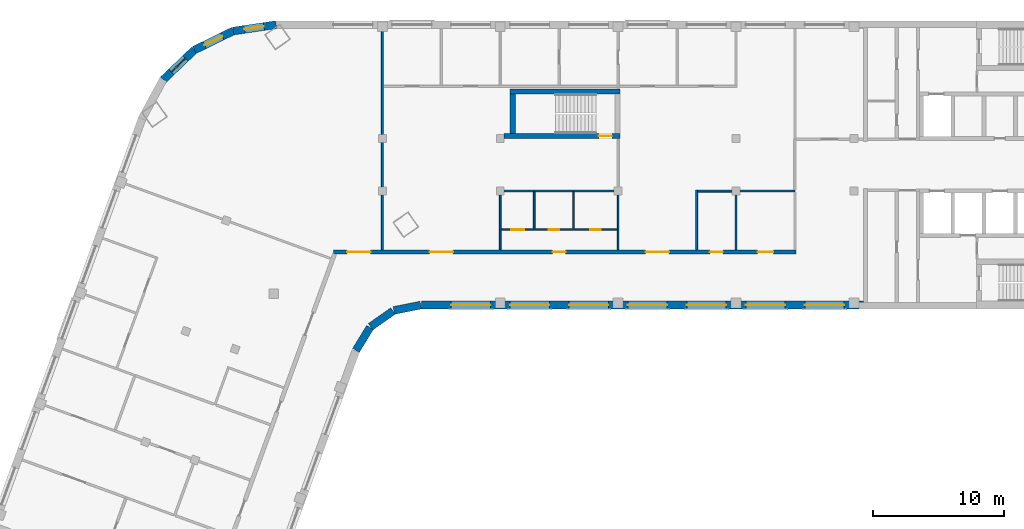
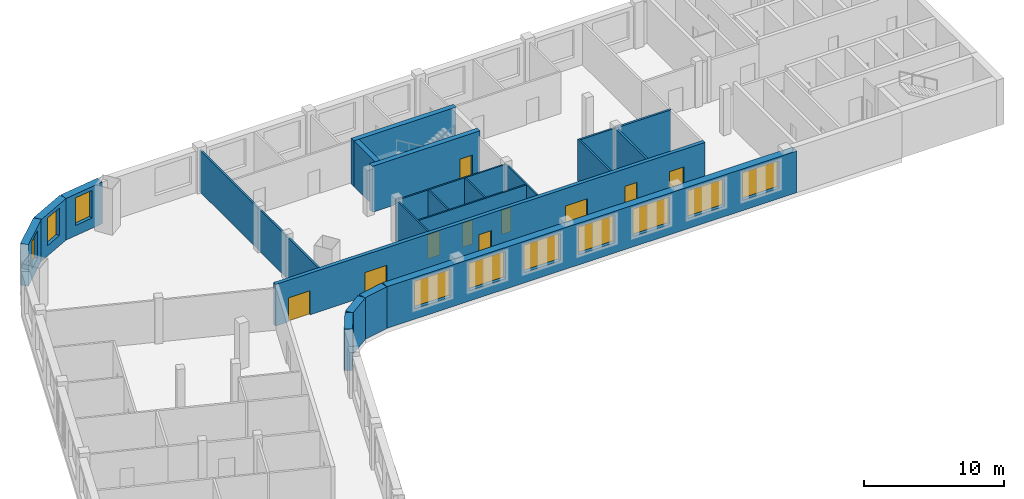
# One storey, part 4 of 8: 22 walls, 10 doors, 10 windows, 20 openings.
"""IFC4 building model written with IfcOpenShell, lengths in metres."""

from ifc_helpers import new_model, si_unit, direction, frame, frame_2d, origin, place, context, subcontext, project, spatial, rectangle, extrude, material, layer, layer_set, type_object, element, fill, save


model = new_model("IFC4")

# Units and contexts
model_context = context("Model", 3, precision=1e-05, world=origin(), true_north=direction((0.0, 1.0)))
body_context = subcontext(model_context, "Body", "Model", "MODEL_VIEW")
ifc_project = project(units=[si_unit("LENGTHUNIT", "METRE"), si_unit("AREAUNIT", "SQUARE_METRE"), si_unit("VOLUMEUNIT", "CUBIC_METRE"), si_unit("PLANEANGLEUNIT", "RADIAN"), si_unit("MASSUNIT", "GRAM", prefix="KILO")], contexts=[model_context])

# Site, building, storey
site_placement = place(None, origin())
site = spatial("IfcSite", under=ifc_project, at=site_placement, CompositionType="ELEMENT")
building_placement = place(site_placement, origin())
building = spatial("IfcBuilding", under=site, at=building_placement, Name="Skarvind Civic Tower", CompositionType="ELEMENT")
storey_placement = place(building_placement, frame((0.0, 0.0, 208.0)))
storey = spatial("IfcBuildingStorey", under=building, at=storey_placement, Name="L49", CompositionType="ELEMENT", Elevation=208.0)

# Walls
ifc_material_1 = material(Name="Acoustic gypsum board on steel studs", Category="steel")
ifc_layer_1 = layer(ifc_material_1, 0.175048828125)
ifc_layer_set_1 = layer_set([ifc_layer_1], Name="ACOUSTIC MEETING-ROOM PARTITION 175")
wall_type_1 = type_object("IfcWallType", Name="ACOUSTIC MEETING-ROOM PARTITION 175", PredefinedType="PARTITIONING", material=ifc_layer_set_1)
wall_1_placement = place(storey_placement, frame((81.25, 121.5, 0.0), z_axis=(0.0, 0.0, 1.0), x_axis=(0.0, 1.0, 0.0)))
element("IfcWall", 1, at=wall_1_placement, inside=storey, type_object=wall_type_1, Name="Partition 49.036", PredefinedType="PARTITIONING", context=body_context, shape_type="SweptSolid", body=[
    extrude(rectangle(XDim=4.412109375, YDim=0.175048828125, at=frame_2d((2.2060546875, 0.0))), origin(), (0.0, 0.0, 1.0), 3.625),
])
wall_2_placement = place(storey_placement, frame((81.25, 126.0, 0.0), z_axis=(0.0, 0.0, 1.0), x_axis=(1.0, 0.0, 0.0)))
element("IfcWall", 2, at=wall_2_placement, inside=storey, type_object=wall_type_1, Name="Partition 49.038", PredefinedType="PARTITIONING", context=body_context, shape_type="SweptSolid", body=[
    extrude(rectangle(XDim=4.5, YDim=0.175048828125, at=frame_2d((2.25, 0.0))), origin(), (0.0, 0.0, 1.0), 3.625),
])

# Wall, openings, doors
ifc_material_2 = material(Name="Fire-rated gypsum board on steel studs", Category="steel")
ifc_layer_2 = layer(ifc_material_2, 0.300048828125)
ifc_layer_set_2 = layer_set([ifc_layer_2], Name="CORRIDOR WALL 300")
wall_type_2 = type_object("IfcWallType", Name="CORRIDOR WALL 300", PredefinedType="PARTITIONING", material=ifc_layer_set_2)
wall_3_placement = place(storey_placement, frame((50.506103515625, 121.35009765625, 0.0), z_axis=(0.0, 0.0, 1.0), x_axis=(1.0, 0.0, 0.0)))
wall_3 = element("IfcWall", 3, at=wall_3_placement, inside=storey, type_object=wall_type_2, Name="Partition 49.020", PredefinedType="PARTITIONING", context=body_context, shape_type="SweptSolid", body=[
    extrude(rectangle(XDim=35.331787109375, YDim=0.300048828125, at=frame_2d((17.666015625, 0.0))), origin(), (0.0, 0.0, 1.0), 3.625),
])
opening_1_placement = place(wall_3_placement, frame((32.39404296875, 0.0, 0.0)))
opening_1 = element("IfcOpeningElement", 4, at=opening_1_placement, cuts=wall_3, Name="Opening L49-D002", PredefinedType="OPENING", context=body_context, shape_type="SweptSolid", body=[
    extrude(rectangle(XDim=1.199951171875, YDim=2.10009765625, at=frame_2d((0.60009765625, 1.050048828125))), frame((0.0, 0.159912109375, 0.0), z_axis=(0.0, -1.0, 0.0), x_axis=(1.0, 0.0, 0.0)), (0.0, 0.0, 1.0), 0.320068359375),
])
opening_2_placement = place(wall_3_placement, frame((28.743896484375, 0.0, 0.0)))
opening_2 = element("IfcOpeningElement", 5, at=opening_2_placement, cuts=wall_3, Name="Opening L49-D003", PredefinedType="OPENING", context=body_context, shape_type="SweptSolid", body=[
    extrude(rectangle(XDim=1.0, YDim=2.10009765625, at=frame_2d((0.5, 1.050048828125))), frame((0.0, 0.159912109375, 0.0), z_axis=(0.0, -1.0, 0.0), x_axis=(1.0, 0.0, 0.0)), (0.0, 0.0, 1.0), 0.320068359375),
])
opening_3_placement = place(wall_3_placement, frame((23.843994140625, 0.0, 0.0)))
opening_3 = element("IfcOpeningElement", 6, at=opening_3_placement, cuts=wall_3, Name="Opening L49-D006", PredefinedType="OPENING", context=body_context, shape_type="SweptSolid", body=[
    extrude(rectangle(XDim=1.800048828125, YDim=2.10009765625, at=frame_2d((0.89990234375, 1.050048828125))), frame((0.0, 0.159912109375, 0.0), z_axis=(0.0, -1.0, 0.0), x_axis=(1.0, 0.0, 0.0)), (0.0, 0.0, 1.0), 0.320068359375),
])
opening_4_placement = place(wall_3_placement, frame((16.743896484375, 0.0, 0.0)))
opening_4 = element("IfcOpeningElement", 7, at=opening_4_placement, cuts=wall_3, Name="Opening L49-D007", PredefinedType="OPENING", context=body_context, shape_type="SweptSolid", body=[
    extrude(rectangle(XDim=1.0, YDim=2.10009765625, at=frame_2d((0.5, 1.050048828125))), frame((0.0, 0.159912109375, 0.0), z_axis=(0.0, -1.0, 0.0), x_axis=(1.0, 0.0, 0.0)), (0.0, 0.0, 1.0), 0.320068359375),
])
opening_5_placement = place(wall_3_placement, frame((7.343994140625, 0.0, 0.0)))
opening_5 = element("IfcOpeningElement", 8, at=opening_5_placement, cuts=wall_3, Name="Opening L49-D013", PredefinedType="OPENING", context=body_context, shape_type="SweptSolid", body=[
    extrude(rectangle(XDim=1.800048828125, YDim=2.10009765625, at=frame_2d((0.89990234375, 1.050048828125))), frame((0.0, 0.159912109375, 0.0), z_axis=(0.0, -1.0, 0.0), x_axis=(1.0, 0.0, 0.0)), (0.0, 0.0, 1.0), 0.320068359375),
])
opening_6_placement = place(wall_3_placement, frame((1.047119140625, 0.0, 0.0)))
opening_6 = element("IfcOpeningElement", 9, at=opening_6_placement, cuts=wall_3, Name="Opening L49-D022", PredefinedType="OPENING", context=body_context, shape_type="SweptSolid", body=[
    extrude(rectangle(XDim=1.800048828125, YDim=2.10009765625, at=frame_2d((0.89990234375, 1.050048828125))), frame((0.0, 0.159912109375, 0.0), z_axis=(0.0, -1.0, 0.0), x_axis=(1.0, 0.0, 0.0)), (0.0, 0.0, 1.0), 0.320068359375),
])
ifc_material_3 = material(Name="Fire-rated timber door leaf", Category="wood")
door_type_1 = type_object("IfcDoorType", Name="FD1 1000x2100", OperationType="NOTDEFINED", PredefinedType="DOOR", material=ifc_material_3)
door_1_placement = place(opening_2_placement, origin())
door_1 = element("IfcDoor", 10, at=door_1_placement, inside=storey, type_object=door_type_1, Name="Door L49-D003", OperationType="SINGLE_SWING_LEFT", OverallHeight=2.10009765625, OverallWidth=1.0, PredefinedType="DOOR", context=body_context, shape_type="SweptSolid", body=[
    extrude(rectangle(XDim=1.0, YDim=2.10009765625, at=frame_2d((0.5, 1.050048828125))), frame((0.0, 0.02490234375, 0.0), z_axis=(0.0, -1.0, 0.0), x_axis=(1.0, 0.0, 0.0)), (0.0, 0.0, 1.0), 0.050048828125),
])
fill(opening_2, door_1)
door_2_placement = place(opening_4_placement, origin())
door_2 = element("IfcDoor", 11, at=door_2_placement, inside=storey, type_object=door_type_1, Name="Door L49-D007", OperationType="SINGLE_SWING_LEFT", OverallHeight=2.10009765625, OverallWidth=1.0, PredefinedType="DOOR", context=body_context, shape_type="SweptSolid", body=[
    extrude(rectangle(XDim=1.0, YDim=2.10009765625, at=frame_2d((0.5, 1.050048828125))), frame((0.0, 0.02490234375, 0.0), z_axis=(0.0, -1.0, 0.0), x_axis=(1.0, 0.0, 0.0)), (0.0, 0.0, 1.0), 0.050048828125),
])
fill(opening_4, door_2)
door_type_2 = type_object("IfcDoorType", Name="FD4 1800x2100", OperationType="NOTDEFINED", PredefinedType="DOOR", material=ifc_material_3)
door_3_placement = place(opening_3_placement, origin())
door_3 = element("IfcDoor", 12, at=door_3_placement, inside=storey, type_object=door_type_2, Name="Door L49-D006", OperationType="DOUBLE_DOOR_SINGLE_SWING", OverallHeight=2.10009765625, OverallWidth=1.800048828125, PredefinedType="DOOR", context=body_context, shape_type="SweptSolid", body=[
    extrude(rectangle(XDim=1.800048828125, YDim=2.10009765625, at=frame_2d((0.89990234375, 1.050048828125))), frame((0.0, 0.02490234375, 0.0), z_axis=(0.0, -1.0, 0.0), x_axis=(1.0, 0.0, 0.0)), (0.0, 0.0, 1.0), 0.050048828125),
])
fill(opening_3, door_3)
door_4_placement = place(opening_5_placement, origin())
door_4 = element("IfcDoor", 13, at=door_4_placement, inside=storey, type_object=door_type_2, Name="Door L49-D013", OperationType="DOUBLE_DOOR_SINGLE_SWING", OverallHeight=2.10009765625, OverallWidth=1.800048828125, PredefinedType="DOOR", context=body_context, shape_type="SweptSolid", body=[
    extrude(rectangle(XDim=1.800048828125, YDim=2.10009765625, at=frame_2d((0.89990234375, 1.050048828125))), frame((0.0, 0.02490234375, 0.0), z_axis=(0.0, -1.0, 0.0), x_axis=(1.0, 0.0, 0.0)), (0.0, 0.0, 1.0), 0.050048828125),
])
fill(opening_5, door_4)
door_5_placement = place(opening_6_placement, origin())
door_5 = element("IfcDoor", 14, at=door_5_placement, inside=storey, type_object=door_type_2, Name="Door L49-D022", OperationType="DOUBLE_DOOR_SINGLE_SWING", OverallHeight=2.10009765625, OverallWidth=1.800048828125, PredefinedType="DOOR", context=body_context, shape_type="SweptSolid", body=[
    extrude(rectangle(XDim=1.800048828125, YDim=2.10009765625, at=frame_2d((0.89990234375, 1.050048828125))), frame((0.0, 0.02490234375, 0.0), z_axis=(0.0, -1.0, 0.0), x_axis=(1.0, 0.0, 0.0)), (0.0, 0.0, 1.0), 0.050048828125),
])
fill(opening_6, door_5)
door_type_3 = type_object("IfcDoorType", Name="FD6 1200x2100 DOUBLE", OperationType="NOTDEFINED", PredefinedType="DOOR", material=ifc_material_3)
door_6_placement = place(opening_1_placement, origin())
door_6 = element("IfcDoor", 15, at=door_6_placement, inside=storey, type_object=door_type_3, Name="Door L49-D002", OperationType="DOUBLE_DOOR_SINGLE_SWING", OverallHeight=2.10009765625, OverallWidth=1.199951171875, PredefinedType="DOOR", context=body_context, shape_type="SweptSolid", body=[
    extrude(rectangle(XDim=1.199951171875, YDim=2.10009765625, at=frame_2d((0.60009765625, 1.050048828125))), frame((0.0, 0.02490234375, 0.0), z_axis=(0.0, -1.0, 0.0), x_axis=(1.0, 0.0, 0.0)), (0.0, 0.0, 1.0), 0.050048828125),
])
fill(opening_1, door_6)

# Wall, opening, door
ifc_material_4 = material(Name="Concrete C60", Category="concrete")
ifc_layer_3 = layer(ifc_material_4, 0.39990234375)
ifc_layer_set_3 = layer_set([ifc_layer_3], Name="Core wall 400 C60")
wall_type_3 = type_object("IfcWallType", Name="Core wall 400 C60", PredefinedType="SHEAR", material=ifc_layer_set_3)
wall_4_placement = place(storey_placement, frame((63.550048828125, 130.199951171875, 0.0), z_axis=(0.0, 0.0, 1.0), x_axis=(1.0, 0.0, 0.0)))
wall_4 = element("IfcWall", 16, at=wall_4_placement, inside=storey, type_object=wall_type_3, Name="Core wall CM inner L49", PredefinedType="SHEAR", context=body_context, shape_type="SweptSolid", body=[
    extrude(rectangle(XDim=8.849853515625, YDim=0.39990234375, at=frame_2d((4.4248046875, 0.0))), origin(), (0.0, 0.0, 1.0), 4.0),
])
opening_7_placement = place(wall_4_placement, frame((7.22509765625, 0.0, 0.0)))
opening_7 = element("IfcOpeningElement", 17, at=opening_7_placement, cuts=wall_4, Name="Opening D-L49-CM-01", PredefinedType="OPENING", context=body_context, shape_type="SweptSolid", body=[
    extrude(rectangle(XDim=1.0, YDim=2.10009765625, at=frame_2d((0.5, 1.050048828125))), frame((0.0, 0.2099609375, 0.0), z_axis=(0.0, -1.0, 0.0), x_axis=(1.0, 0.0, 0.0)), (0.0, 0.0, 1.0), 0.419921875),
])
ifc_material_5 = material(Name="Fire-rated steel door", Category="steel")
door_type_4 = type_object("IfcDoorType", Name="Fire door 1000", OperationType="NOTDEFINED", PredefinedType="DOOR", material=ifc_material_5)
door_7_placement = place(opening_7_placement, origin())
door_7 = element("IfcDoor", 18, at=door_7_placement, inside=storey, type_object=door_type_4, Name="Fire door", OperationType="SINGLE_SWING_LEFT", OverallHeight=2.10009765625, OverallWidth=1.0, PredefinedType="DOOR", context=body_context, shape_type="SweptSolid", body=[
    extrude(rectangle(XDim=1.0, YDim=2.10009765625, at=frame_2d((0.5, 1.050048828125))), frame((0.0, 0.02490234375, 0.0), z_axis=(0.0, -1.0, 0.0), x_axis=(1.0, 0.0, 0.0)), (0.0, 0.0, 1.0), 0.050048828125),
])
fill(opening_7, door_7)

# Walls
wall_5_placement = place(storey_placement, frame((64.0, 133.60009765625, 0.0), z_axis=(0.0, 0.0, 1.0), x_axis=(1.0, 0.0, 0.0)))
element("IfcWall", 19, at=wall_5_placement, inside=storey, type_object=wall_type_3, Name="Core wall CM outer L49", PredefinedType="SHEAR", context=body_context, shape_type="SweptSolid", body=[
    extrude(rectangle(XDim=8.39990234375, YDim=0.39990234375, at=frame_2d((4.199951171875, 0.0))), origin(), (0.0, 0.0, 1.0), 4.0),
])
wall_6_placement = place(storey_placement, frame((64.199951171875, 130.39990234375, 0.0), z_axis=(0.0, 0.0, 1.0), x_axis=(0.0, 1.0, 0.0)))
element("IfcWall", 20, at=wall_6_placement, inside=storey, type_object=wall_type_3, Name="Core wall CM west L49", PredefinedType="SHEAR", context=body_context, shape_type="SweptSolid", body=[
    extrude(rectangle(XDim=3.0, YDim=0.39990234375, at=frame_2d((1.5, 0.0))), origin(), (0.0, 0.0, 1.0), 4.0),
])
ifc_material_6 = material(Name="Plasterboard partition on steel studs", Category="steel")
ifc_layer_4 = layer(ifc_material_6, 0.14990234375)
ifc_layer_set_4 = layer_set([ifc_layer_4], Name="PARTITION 150")
wall_type_4 = type_object("IfcWallType", Name="PARTITION 150", PredefinedType="PARTITIONING", material=ifc_layer_set_4)
wall_7_placement = place(storey_placement, frame((54.25, 121.5, 0.0), z_axis=(0.0, 0.0, 1.0), x_axis=(0.0, 1.0, 0.0)))
element("IfcWall", 21, at=wall_7_placement, inside=storey, type_object=wall_type_4, Name="Partition 49.021", PredefinedType="PARTITIONING", context=body_context, shape_type="SweptSolid", body=[
    extrude(rectangle(XDim=16.89990234375, YDim=0.14990234375, at=frame_2d((8.449951171875, 0.0))), origin(), (0.0, 0.0, 1.0), 3.625),
])
wall_8_placement = place(storey_placement, frame((78.25, 126.074951171875, 0.0), z_axis=(0.0, 0.0, 1.0), x_axis=(0.0, -1.0, 0.0)))
element("IfcWall", 22, at=wall_8_placement, inside=storey, type_object=wall_type_4, Name="Partition 49.035", PredefinedType="PARTITIONING", context=body_context, shape_type="SweptSolid", body=[
    extrude(rectangle(XDim=4.574951171875, YDim=0.14990234375, at=frame_2d((2.28759765625, 0.0))), origin(), (0.0, 0.0, 1.0), 3.625),
])
wall_9_placement = place(storey_placement, frame((81.25, 126.0, 0.0), z_axis=(0.0, 0.0, 1.0), x_axis=(-1.0, 0.0, 0.0)))
element("IfcWall", 23, at=wall_9_placement, inside=storey, type_object=wall_type_4, Name="Partition 49.037", PredefinedType="PARTITIONING", context=body_context, shape_type="SweptSolid", body=[
    extrude(rectangle(XDim=2.925048828125, YDim=0.14990234375, at=frame_2d((1.46240234375, 0.0))), origin(), (0.0, 0.0, 1.0), 3.625),
])
ifc_material_7 = material(Name="Moisture-resistant gypsum board on steel studs", Category="steel")
ifc_layer_5 = layer(ifc_material_7, 0.125)
ifc_layer_set_5 = layer_set([ifc_layer_5], Name="WC PARTITION 125")
wall_type_5 = type_object("IfcWallType", Name="WC PARTITION 125", PredefinedType="PARTITIONING", material=ifc_layer_set_5)
wall_10_placement = place(storey_placement, frame((63.25, 121.5, 0.0), z_axis=(0.0, 0.0, 1.0), x_axis=(0.0, 1.0, 0.0)))
element("IfcWall", 24, at=wall_10_placement, inside=storey, type_object=wall_type_5, Name="Partition 49.024", PredefinedType="PARTITIONING", context=body_context, shape_type="SweptSolid", body=[
    extrude(rectangle(XDim=4.43798828125, YDim=0.125, at=frame_2d((2.218994140625, 0.0))), origin(), (0.0, 0.0, 1.0), 3.625),
])

# Wall, openings, doors
wall_11_placement = place(storey_placement, frame((63.31201171875, 123.050048828125, 0.0), z_axis=(0.0, 0.0, 1.0), x_axis=(1.0, 0.0, 0.0)))
wall_11 = element("IfcWall", 25, at=wall_11_placement, inside=storey, type_object=wall_type_5, Name="Partition 49.025", PredefinedType="PARTITIONING", context=body_context, shape_type="SweptSolid", body=[
    extrude(rectangle(XDim=8.8759765625, YDim=0.125, at=frame_2d((4.43798828125, 0.0))), origin(), (0.0, 0.0, 1.0), 3.625),
])
opening_8_placement = place(wall_11_placement, frame((6.81689453125, 0.0, 0.0)))
opening_8 = element("IfcOpeningElement", 26, at=opening_8_placement, cuts=wall_11, Name="Opening L49-D008", PredefinedType="OPENING", context=body_context, shape_type="SweptSolid", body=[
    extrude(rectangle(XDim=0.800048828125, YDim=2.10009765625, at=frame_2d((0.39990234375, 1.050048828125))), frame((0.0, 0.072509765625, 0.0), z_axis=(0.0, -1.0, 0.0), x_axis=(1.0, 0.0, 0.0)), (0.0, 0.0, 1.0), 0.14501953125),
])
opening_9_placement = place(wall_11_placement, frame((3.637939453125, 0.0, 0.0)))
opening_9 = element("IfcOpeningElement", 27, at=opening_9_placement, cuts=wall_11, Name="Opening L49-D009", PredefinedType="OPENING", context=body_context, shape_type="SweptSolid", body=[
    extrude(rectangle(XDim=0.800048828125, YDim=2.10009765625, at=frame_2d((0.39990234375, 1.050048828125))), frame((0.0, 0.072509765625, 0.0), z_axis=(0.0, -1.0, 0.0), x_axis=(1.0, 0.0, 0.0)), (0.0, 0.0, 1.0), 0.14501953125),
])
opening_10_placement = place(wall_11_placement, frame((0.759033203125, 0.0, 0.0)))
opening_10 = element("IfcOpeningElement", 28, at=opening_10_placement, cuts=wall_11, Name="Opening L49-D010", PredefinedType="OPENING", context=body_context, shape_type="SweptSolid", body=[
    extrude(rectangle(XDim=1.0, YDim=2.10009765625, at=frame_2d((0.5, 1.050048828125))), frame((0.0, 0.072509765625, 0.0), z_axis=(0.0, -1.0, 0.0), x_axis=(1.0, 0.0, 0.0)), (0.0, 0.0, 1.0), 0.14501953125),
])
ifc_material_8 = material(Name="Timber door leaf", Category="wood")
door_type_5 = type_object("IfcDoorType", Name="D1 1000x2100", OperationType="NOTDEFINED", PredefinedType="DOOR", material=ifc_material_8)
door_8_placement = place(opening_10_placement, origin())
door_8 = element("IfcDoor", 29, at=door_8_placement, inside=storey, type_object=door_type_5, Name="Door L49-D010", OperationType="SINGLE_SWING_LEFT", OverallHeight=2.10009765625, OverallWidth=1.0, PredefinedType="DOOR", context=body_context, shape_type="SweptSolid", body=[
    extrude(rectangle(XDim=1.0, YDim=2.10009765625, at=frame_2d((0.5, 1.050048828125))), frame((0.0, 0.02490234375, 0.0), z_axis=(0.0, -1.0, 0.0), x_axis=(1.0, 0.0, 0.0)), (0.0, 0.0, 1.0), 0.050048828125),
])
fill(opening_10, door_8)
door_type_6 = type_object("IfcDoorType", Name="DOOR 800X2100 TIMBER", OperationType="NOTDEFINED", PredefinedType="DOOR", material=ifc_material_8)
door_9_placement = place(opening_8_placement, origin())
door_9 = element("IfcDoor", 30, at=door_9_placement, inside=storey, type_object=door_type_6, Name="Door L49-D008", OperationType="SINGLE_SWING_RIGHT", OverallHeight=2.10009765625, OverallWidth=0.800048828125, PredefinedType="DOOR", context=body_context, shape_type="SweptSolid", body=[
    extrude(rectangle(XDim=0.800048828125, YDim=2.10009765625, at=frame_2d((0.39990234375, 1.050048828125))), frame((0.0, 0.02490234375, 0.0), z_axis=(0.0, -1.0, 0.0), x_axis=(1.0, 0.0, 0.0)), (0.0, 0.0, 1.0), 0.050048828125),
])
fill(opening_8, door_9)
door_10_placement = place(opening_9_placement, origin())
door_10 = element("IfcDoor", 31, at=door_10_placement, inside=storey, type_object=door_type_6, Name="Door L49-D009", OperationType="SINGLE_SWING_LEFT", OverallHeight=2.10009765625, OverallWidth=0.800048828125, PredefinedType="DOOR", context=body_context, shape_type="SweptSolid", body=[
    extrude(rectangle(XDim=0.800048828125, YDim=2.10009765625, at=frame_2d((0.39990234375, 1.050048828125))), frame((0.0, 0.02490234375, 0.0), z_axis=(0.0, -1.0, 0.0), x_axis=(1.0, 0.0, 0.0)), (0.0, 0.0, 1.0), 0.050048828125),
])
fill(opening_9, door_10)

# Walls
wall_12_placement = place(storey_placement, frame((63.18798828125, 126.0, 0.0), z_axis=(0.0, 0.0, 1.0), x_axis=(1.0, 0.0, 0.0)))
element("IfcWall", 32, at=wall_12_placement, inside=storey, type_object=wall_type_5, Name="Partition 49.026", PredefinedType="PARTITIONING", context=body_context, shape_type="SweptSolid", body=[
    extrude(rectangle(XDim=9.06201171875, YDim=0.125, at=frame_2d((4.531005859375, 0.0))), origin(), (0.0, 0.0, 1.0), 3.625),
])
for number, where, z_axis, x_axis, name in (
    (33, (65.85009765625, 125.93798828125, 0.0), (0.0, 0.0, 1.0), (0.0, -1.0, 0.0), "Partition 49.028"),
    (34, (68.85009765625, 125.93798828125, 0.0), (0.0, 0.0, 1.0), (0.0, -1.0, 0.0), "Partition 49.030"),
):
    element("IfcWall", number, at=place(storey_placement, frame(where, z_axis=z_axis, x_axis=x_axis)), inside=storey, type_object=wall_type_5, Name=name, PredefinedType="PARTITIONING", context=body_context, shape_type="SweptSolid", body=[
        extrude(rectangle(XDim=2.825927734375, YDim=0.125, at=frame_2d((1.4130859375, 0.0))), origin(), (0.0, 0.0, 1.0), 3.625),
    ])
wall_13_placement = place(storey_placement, frame((72.25, 121.5, 0.0), z_axis=(0.0, 0.0, 1.0), x_axis=(0.0, 1.0, 0.0)))
element("IfcWall", 35, at=wall_13_placement, inside=storey, type_object=wall_type_5, Name="Partition 49.031", PredefinedType="PARTITIONING", context=body_context, shape_type="SweptSolid", body=[
    extrude(rectangle(XDim=4.427978515625, YDim=0.125, at=frame_2d((2.2138671875, 0.0))), origin(), (0.0, 0.0, 1.0), 3.625),
])
ifc_material_9 = material(Name="Limestone masonry cladding on insulated backing", Category="masonry")
ifc_layer_6 = layer(ifc_material_9, 0.60009765625)
ifc_layer_set_6 = layer_set([ifc_layer_6], Name="WX1 STONE FACADE WALL 600")
wall_type_6 = type_object("IfcWallType", Name="WX1 STONE FACADE WALL 600", PredefinedType="SOLIDWALL", material=ifc_layer_set_6)
wall_14_placement = place(storey_placement, frame((53.30517578125, 115.578369140625, 0.0), z_axis=(0.0, 0.0, 1.0), x_axis=(-0.522402266438, -0.852699168535, 0.0)))
element("IfcWall", 36, at=wall_14_placement, inside=storey, type_object=wall_type_6, Name="STONE FACADE WALL", PredefinedType="SOLIDWALL", context=body_context, shape_type="SweptSolid", body=[
    extrude(rectangle(XDim=2.042236328125, YDim=0.60009765625, at=frame_2d((1.02099609375, 0.0))), origin(), (0.0, 0.0, 1.0), 3.625),
])
for number, where, z_axis, x_axis, name in (
    (37, (55.061767578125, 116.8388671875, 0.0), (0.0, 0.0, 1.0), (-0.819122269495, -0.573618956815, 0.0), "STONE FACADE WALL"),
    (38, (57.17529296875, 117.2939453125, 0.0), (0.0, 0.0, 1.0), (-0.97996099083, -0.19918949885, 0.0), "STONE FACADE WALL"),
):
    element("IfcWall", number, at=place(storey_placement, frame(where, z_axis=z_axis, x_axis=x_axis)), inside=storey, type_object=wall_type_6, Name=name, PredefinedType="SOLIDWALL", context=body_context, shape_type="SweptSolid", body=[
        extrude(rectangle(XDim=2.09228515625, YDim=0.60009765625, at=frame_2d((1.046142578125, 0.0))), origin(), (0.0, 0.0, 1.0), 3.625),
    ])

# Wall, openings, windows
wall_15_placement = place(storey_placement, frame((90.97998046875, 117.300048828125, 0.0), z_axis=(0.0, 0.0, 1.0), x_axis=(-1.0, 0.0, 0.0)))
wall_15 = element("IfcWall", 39, at=wall_15_placement, inside=storey, type_object=wall_type_6, Name="STONE FACADE WALL", PredefinedType="SOLIDWALL", context=body_context, shape_type="SweptSolid", body=[
    extrude(rectangle(XDim=33.744873046875, YDim=0.60009765625, at=frame_2d((16.87255859375, 0.0))), origin(), (0.0, 0.0, 1.0), 3.625),
])
opening_11_placement = place(wall_15_placement, frame((1.47998046875, 0.0, 0.89990234375)))
opening_11 = element("IfcOpeningElement", 40, at=opening_11_placement, cuts=wall_15, Name="Opening WN1", PredefinedType="OPENING", context=body_context, shape_type="SweptSolid", body=[
    extrude(rectangle(XDim=3.0, YDim=2.39990234375, at=frame_2d((1.5, 1.199951171875))), frame((0.0, 0.31005859375, 0.0), z_axis=(0.0, -1.0, 0.0), x_axis=(1.0, 0.0, 0.0)), (0.0, 0.0, 1.0), 0.6201171875),
])
opening_12_placement = place(wall_15_placement, frame((5.97998046875, 0.0, 0.89990234375)))
opening_12 = element("IfcOpeningElement", 41, at=opening_12_placement, cuts=wall_15, Name="Opening WN1", PredefinedType="OPENING", context=body_context, shape_type="SweptSolid", body=[
    extrude(rectangle(XDim=3.0, YDim=2.39990234375, at=frame_2d((1.5, 1.199951171875))), frame((0.0, 0.31005859375, 0.0), z_axis=(0.0, -1.0, 0.0), x_axis=(1.0, 0.0, 0.0)), (0.0, 0.0, 1.0), 0.6201171875),
])
opening_13_placement = place(wall_15_placement, frame((10.47998046875, 0.0, 0.89990234375)))
opening_13 = element("IfcOpeningElement", 42, at=opening_13_placement, cuts=wall_15, Name="Opening WN1", PredefinedType="OPENING", context=body_context, shape_type="SweptSolid", body=[
    extrude(rectangle(XDim=3.0, YDim=2.39990234375, at=frame_2d((1.5, 1.199951171875))), frame((0.0, 0.31005859375, 0.0), z_axis=(0.0, -1.0, 0.0), x_axis=(1.0, 0.0, 0.0)), (0.0, 0.0, 1.0), 0.6201171875),
])
opening_14_placement = place(wall_15_placement, frame((14.97998046875, 0.0, 0.89990234375)))
opening_14 = element("IfcOpeningElement", 43, at=opening_14_placement, cuts=wall_15, Name="Opening WN1", PredefinedType="OPENING", context=body_context, shape_type="SweptSolid", body=[
    extrude(rectangle(XDim=3.0, YDim=2.39990234375, at=frame_2d((1.5, 1.199951171875))), frame((0.0, 0.31005859375, 0.0), z_axis=(0.0, -1.0, 0.0), x_axis=(1.0, 0.0, 0.0)), (0.0, 0.0, 1.0), 0.6201171875),
])
opening_15_placement = place(wall_15_placement, frame((19.47998046875, 0.0, 0.89990234375)))
opening_15 = element("IfcOpeningElement", 44, at=opening_15_placement, cuts=wall_15, Name="Opening WN1", PredefinedType="OPENING", context=body_context, shape_type="SweptSolid", body=[
    extrude(rectangle(XDim=3.0, YDim=2.39990234375, at=frame_2d((1.5, 1.199951171875))), frame((0.0, 0.31005859375, 0.0), z_axis=(0.0, -1.0, 0.0), x_axis=(1.0, 0.0, 0.0)), (0.0, 0.0, 1.0), 0.6201171875),
])
opening_16_placement = place(wall_15_placement, frame((23.97998046875, 0.0, 0.89990234375)))
opening_16 = element("IfcOpeningElement", 45, at=opening_16_placement, cuts=wall_15, Name="Opening WN1", PredefinedType="OPENING", context=body_context, shape_type="SweptSolid", body=[
    extrude(rectangle(XDim=3.0, YDim=2.39990234375, at=frame_2d((1.5, 1.199951171875))), frame((0.0, 0.31005859375, 0.0), z_axis=(0.0, -1.0, 0.0), x_axis=(1.0, 0.0, 0.0)), (0.0, 0.0, 1.0), 0.6201171875),
])
opening_17_placement = place(wall_15_placement, frame((28.47998046875, 0.0, 0.89990234375)))
opening_17 = element("IfcOpeningElement", 46, at=opening_17_placement, cuts=wall_15, Name="Opening WN1", PredefinedType="OPENING", context=body_context, shape_type="SweptSolid", body=[
    extrude(rectangle(XDim=3.0, YDim=2.39990234375, at=frame_2d((1.5, 1.199951171875))), frame((0.0, 0.31005859375, 0.0), z_axis=(0.0, -1.0, 0.0), x_axis=(1.0, 0.0, 0.0)), (0.0, 0.0, 1.0), 0.6201171875),
])
ifc_material_10 = material(Name="Timber frame, double glazing, timber-lined reveal", Category="wood")
window_type_1 = type_object("IfcWindowType", Name="WN1 PUNCHED STONE WINDOW 3000 x 2400", PartitioningType="SINGLE_PANEL", PredefinedType="WINDOW", material=ifc_material_10)
window_1_placement = place(opening_11_placement, origin())
window_1 = element("IfcWindow", 47, at=window_1_placement, inside=storey, type_object=window_type_1, Name="WN1 WINDOW", OverallHeight=2.39990234375, OverallWidth=3.0, PartitioningType="SINGLE_PANEL", PredefinedType="WINDOW", context=body_context, shape_type="SweptSolid", body=[
    extrude(rectangle(XDim=3.0, YDim=2.39990234375, at=frame_2d((1.5, 1.199951171875))), frame((0.0, 0.030029296875, 0.0), z_axis=(0.0, -1.0, 0.0), x_axis=(1.0, 0.0, 0.0)), (0.0, 0.0, 1.0), 0.06005859375),
])
fill(opening_11, window_1)
window_2_placement = place(opening_12_placement, origin())
window_2 = element("IfcWindow", 48, at=window_2_placement, inside=storey, type_object=window_type_1, Name="WN1 WINDOW", OverallHeight=2.39990234375, OverallWidth=3.0, PartitioningType="SINGLE_PANEL", PredefinedType="WINDOW", context=body_context, shape_type="SweptSolid", body=[
    extrude(rectangle(XDim=3.0, YDim=2.39990234375, at=frame_2d((1.5, 1.199951171875))), frame((0.0, 0.030029296875, 0.0), z_axis=(0.0, -1.0, 0.0), x_axis=(1.0, 0.0, 0.0)), (0.0, 0.0, 1.0), 0.06005859375),
])
fill(opening_12, window_2)
window_3_placement = place(opening_13_placement, origin())
window_3 = element("IfcWindow", 49, at=window_3_placement, inside=storey, type_object=window_type_1, Name="WN1 WINDOW", OverallHeight=2.39990234375, OverallWidth=3.0, PartitioningType="SINGLE_PANEL", PredefinedType="WINDOW", context=body_context, shape_type="SweptSolid", body=[
    extrude(rectangle(XDim=3.0, YDim=2.39990234375, at=frame_2d((1.5, 1.199951171875))), frame((0.0, 0.030029296875, 0.0), z_axis=(0.0, -1.0, 0.0), x_axis=(1.0, 0.0, 0.0)), (0.0, 0.0, 1.0), 0.06005859375),
])
fill(opening_13, window_3)
window_4_placement = place(opening_14_placement, origin())
window_4 = element("IfcWindow", 50, at=window_4_placement, inside=storey, type_object=window_type_1, Name="WN1 WINDOW", OverallHeight=2.39990234375, OverallWidth=3.0, PartitioningType="SINGLE_PANEL", PredefinedType="WINDOW", context=body_context, shape_type="SweptSolid", body=[
    extrude(rectangle(XDim=3.0, YDim=2.39990234375, at=frame_2d((1.5, 1.199951171875))), frame((0.0, 0.030029296875, 0.0), z_axis=(0.0, -1.0, 0.0), x_axis=(1.0, 0.0, 0.0)), (0.0, 0.0, 1.0), 0.06005859375),
])
fill(opening_14, window_4)
window_5_placement = place(opening_15_placement, origin())
window_5 = element("IfcWindow", 51, at=window_5_placement, inside=storey, type_object=window_type_1, Name="WN1 WINDOW", OverallHeight=2.39990234375, OverallWidth=3.0, PartitioningType="SINGLE_PANEL", PredefinedType="WINDOW", context=body_context, shape_type="SweptSolid", body=[
    extrude(rectangle(XDim=3.0, YDim=2.39990234375, at=frame_2d((1.5, 1.199951171875))), frame((0.0, 0.030029296875, 0.0), z_axis=(0.0, -1.0, 0.0), x_axis=(1.0, 0.0, 0.0)), (0.0, 0.0, 1.0), 0.06005859375),
])
fill(opening_15, window_5)
window_6_placement = place(opening_16_placement, origin())
window_6 = element("IfcWindow", 52, at=window_6_placement, inside=storey, type_object=window_type_1, Name="WN1 WINDOW", OverallHeight=2.39990234375, OverallWidth=3.0, PartitioningType="SINGLE_PANEL", PredefinedType="WINDOW", context=body_context, shape_type="SweptSolid", body=[
    extrude(rectangle(XDim=3.0, YDim=2.39990234375, at=frame_2d((1.5, 1.199951171875))), frame((0.0, 0.030029296875, 0.0), z_axis=(0.0, -1.0, 0.0), x_axis=(1.0, 0.0, 0.0)), (0.0, 0.0, 1.0), 0.06005859375),
])
fill(opening_16, window_6)
window_7_placement = place(opening_17_placement, origin())
window_7 = element("IfcWindow", 53, at=window_7_placement, inside=storey, type_object=window_type_1, Name="WN1 WINDOW", OverallHeight=2.39990234375, OverallWidth=3.0, PartitioningType="SINGLE_PANEL", PredefinedType="WINDOW", context=body_context, shape_type="SweptSolid", body=[
    extrude(rectangle(XDim=3.0, YDim=2.39990234375, at=frame_2d((1.5, 1.199951171875))), frame((0.0, 0.030029296875, 0.0), z_axis=(0.0, -1.0, 0.0), x_axis=(1.0, 0.0, 0.0)), (0.0, 0.0, 1.0), 0.06005859375),
])
fill(opening_17, window_7)

# Wall, opening, window
wall_16_placement = place(storey_placement, frame((42.872802734375, 138.21728515625, 0.0), z_axis=(0.0, 0.0, 1.0), x_axis=(0.989110792192, 0.14717282619, 0.0)))
wall_16 = element("IfcWall", 54, at=wall_16_placement, inside=storey, type_object=wall_type_6, Name="STONE FACADE WALL", PredefinedType="SOLIDWALL", context=body_context, shape_type="SweptSolid", body=[
    extrude(rectangle(XDim=3.302734375, YDim=0.60009765625, at=frame_2d((1.6513671875, 0.0))), origin(), (0.0, 0.0, 1.0), 3.625),
])
opening_18_placement = place(wall_16_placement, frame((0.8564453125, 0.0, 0.89990234375)))
opening_18 = element("IfcOpeningElement", 55, at=opening_18_placement, cuts=wall_16, Name="Opening WN8", PredefinedType="OPENING", context=body_context, shape_type="SweptSolid", body=[
    extrude(rectangle(XDim=1.5, YDim=2.39990234375, at=frame_2d((0.75, 1.199951171875))), frame((0.0, 0.31005859375, 0.0), z_axis=(0.0, -1.0, 0.0), x_axis=(1.0, 0.0, 0.0)), (0.0, 0.0, 1.0), 0.6201171875),
])
window_type_2 = type_object("IfcWindowType", Name="WN8 ARC BAY WINDOW 1500 x 2400", PartitioningType="SINGLE_PANEL", PredefinedType="WINDOW", material=ifc_material_10)
window_8_placement = place(opening_18_placement, origin())
window_8 = element("IfcWindow", 56, at=window_8_placement, inside=storey, type_object=window_type_2, Name="WN8 WINDOW", OverallHeight=2.39990234375, OverallWidth=1.5, PartitioningType="SINGLE_PANEL", PredefinedType="WINDOW", context=body_context, shape_type="SweptSolid", body=[
    extrude(rectangle(XDim=1.5, YDim=2.39990234375, at=frame_2d((0.75, 1.199951171875))), frame((0.0, 0.030029296875, 0.0), z_axis=(0.0, -1.0, 0.0), x_axis=(1.0, 0.0, 0.0)), (0.0, 0.0, 1.0), 0.06005859375),
])
fill(opening_18, window_8)

wall_17_placement = place(storey_placement, frame((39.9072265625, 136.77587890625, 0.0), z_axis=(0.0, 0.0, 1.0), x_axis=(0.89761231107, 0.440785819889, 0.0)))
wall_17 = element("IfcWall", 57, at=wall_17_placement, inside=storey, type_object=wall_type_6, Name="STONE FACADE WALL", PredefinedType="SOLIDWALL", context=body_context, shape_type="SweptSolid", body=[
    extrude(rectangle(XDim=3.302734375, YDim=0.60009765625, at=frame_2d((1.6513671875, 0.0))), origin(), (0.0, 0.0, 1.0), 3.625),
])
opening_19_placement = place(wall_17_placement, frame((0.8564453125, 0.0, 0.89990234375)))
opening_19 = element("IfcOpeningElement", 58, at=opening_19_placement, cuts=wall_17, Name="Opening WN8", PredefinedType="OPENING", context=body_context, shape_type="SweptSolid", body=[
    extrude(rectangle(XDim=1.5, YDim=2.39990234375, at=frame_2d((0.75, 1.199951171875))), frame((0.0, 0.31005859375, 0.0), z_axis=(0.0, -1.0, 0.0), x_axis=(1.0, 0.0, 0.0)), (0.0, 0.0, 1.0), 0.6201171875),
])
window_9_placement = place(opening_19_placement, origin())
window_9 = element("IfcWindow", 59, at=window_9_placement, inside=storey, type_object=window_type_2, Name="WN8 WINDOW", OverallHeight=2.39990234375, OverallWidth=1.5, PartitioningType="SINGLE_PANEL", PredefinedType="WINDOW", context=body_context, shape_type="SweptSolid", body=[
    extrude(rectangle(XDim=1.5, YDim=2.39990234375, at=frame_2d((0.75, 1.199951171875))), frame((0.0, 0.030029296875, 0.0), z_axis=(0.0, -1.0, 0.0), x_axis=(1.0, 0.0, 0.0)), (0.0, 0.0, 1.0), 0.06005859375),
])
fill(opening_19, window_9)

wall_18_placement = place(storey_placement, frame((37.520263671875, 134.501220703125, 0.0), z_axis=(0.0, 0.0, 1.0), x_axis=(0.72115684486, 0.692771827596, 0.0)))
wall_18 = element("IfcWall", 60, at=wall_18_placement, inside=storey, type_object=wall_type_6, Name="STONE FACADE WALL", PredefinedType="SOLIDWALL", context=body_context, shape_type="SweptSolid", body=[
    extrude(rectangle(XDim=3.302734375, YDim=0.60009765625, at=frame_2d((1.6513671875, 0.0))), origin(), (0.0, 0.0, 1.0), 3.625),
])
opening_20_placement = place(wall_18_placement, frame((0.8564453125, 0.0, 0.89990234375)))
opening_20 = element("IfcOpeningElement", 61, at=opening_20_placement, cuts=wall_18, Name="Opening WN8", PredefinedType="OPENING", context=body_context, shape_type="SweptSolid", body=[
    extrude(rectangle(XDim=1.5, YDim=2.39990234375, at=frame_2d((0.75, 1.199951171875))), frame((0.0, 0.31005859375, 0.0), z_axis=(0.0, -1.0, 0.0), x_axis=(1.0, 0.0, 0.0)), (0.0, 0.0, 1.0), 0.6201171875),
])
window_10_placement = place(opening_20_placement, origin())
window_10 = element("IfcWindow", 62, at=window_10_placement, inside=storey, type_object=window_type_2, Name="WN8 WINDOW", OverallHeight=2.39990234375, OverallWidth=1.5, PartitioningType="SINGLE_PANEL", PredefinedType="WINDOW", context=body_context, shape_type="SweptSolid", body=[
    extrude(rectangle(XDim=1.5, YDim=2.39990234375, at=frame_2d((0.75, 1.199951171875))), frame((0.0, 0.030029296875, 0.0), z_axis=(0.0, -1.0, 0.0), x_axis=(1.0, 0.0, 0.0)), (0.0, 0.0, 1.0), 0.06005859375),
])
fill(opening_20, window_10)

save(model, "model.ifc")
